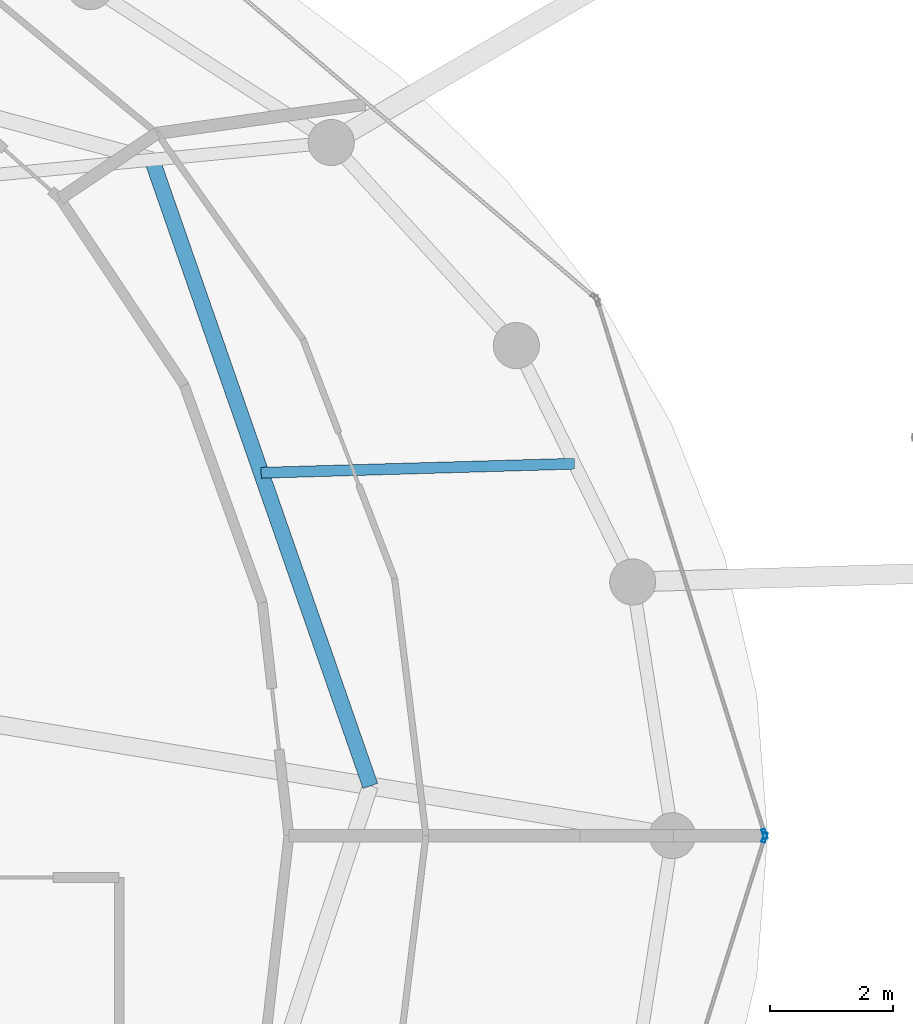
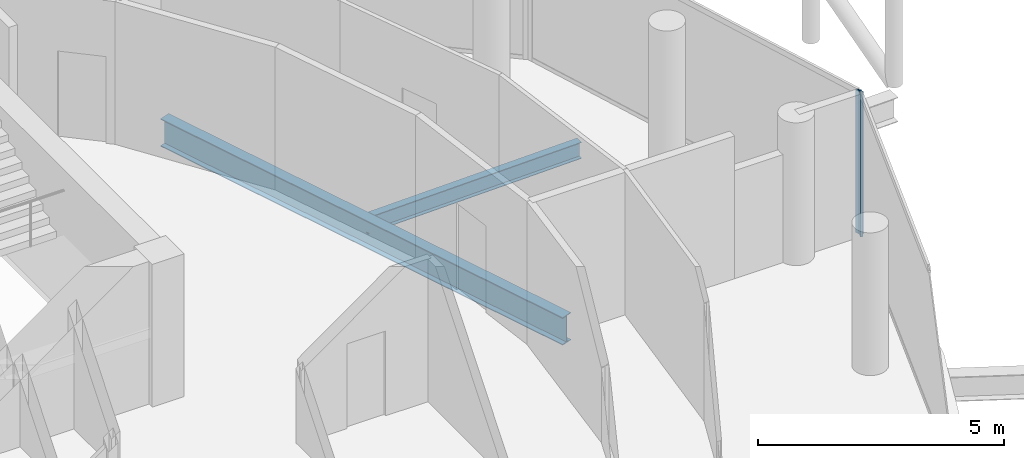
# One storey, part 12 of 24: 2 beams, 2 members, 2 elements without a shape of their own.
"""IFC4 building model written with IfcOpenShell, lengths in metres."""

from ifc_helpers import new_model, si_unit, direction, frame, origin, origin_2d, place, context, subcontext, project, spatial, hollow_rectangle, i_section, extrude, material, layer, layer_set, material_profile, profile_set, type_object, element, aggregate, save


model = new_model("IFC4")

# Units and contexts
model_context = context("Model", 3, precision=1e-05, world=origin(), true_north=direction((0.0, 1.0)))
body_context = subcontext(model_context, "Body", "Model", "MODEL_VIEW")
ifc_project = project(units=[si_unit("LENGTHUNIT", "METRE"), si_unit("AREAUNIT", "SQUARE_METRE"), si_unit("VOLUMEUNIT", "CUBIC_METRE"), si_unit("PLANEANGLEUNIT", "RADIAN"), si_unit("MASSUNIT", "GRAM", prefix="KILO")], contexts=[model_context])

# Site, building, storey
site_placement = place(None, origin())
site = spatial("IfcSite", under=ifc_project, at=site_placement, CompositionType="ELEMENT")
building_placement = place(site_placement, origin())
building = spatial("IfcBuilding", under=site, at=building_placement, Name="Nuhasar Tower", CompositionType="ELEMENT")
storey_placement = place(building_placement, frame((0.0, 0.0, 270.800048828125)))
storey = spatial("IfcBuildingStorey", under=building, at=storey_placement, Name="L67", CompositionType="ELEMENT", Elevation=270.800048828125)

# Beams
ifc_material_1 = material(Name="Steel S355", Category="steel")
ifc_material_profile_1 = material_profile(ifc_material_1, i_section(OverallWidth=0.25390625, OverallDepth=0.68408203125, WebThickness=0.012451171875, FlangeThickness=0.018798828125, at=origin_2d()), Name="W27X94")
ifc_profile_set_1 = profile_set([ifc_material_profile_1], Name="Steel S355")
beam_type_1 = type_object("IfcBeamType", Name="BM-INRING-W27X94", PredefinedType="BEAM", material=ifc_profile_set_1)
beam_1_placement = place(storey_placement, frame((53.035888671875, 27.610107421875, -0.60205078125), z_axis=(-0.329211236979, 0.944256300718, 0.0), x_axis=(-0.944256300718, -0.329211236979, 0.0)))
element("IfcBeam", 1, at=beam_1_placement, inside=storey, type_object=beam_type_1, Name="L67 Inner Header Beam 04", PredefinedType="BEAM", context=body_context, shape_type="SweptSolid", body=[
    extrude(i_section(OverallWidth=0.25390625, OverallDepth=0.68408203125, WebThickness=0.012451171875, FlangeThickness=0.018798828125, at=origin_2d()), origin(), (0.0, 0.0, 1.0), 10.78955078125),
])
ifc_material_profile_2 = material_profile(ifc_material_1, i_section(OverallWidth=0.177978515625, OverallDepth=0.406005859375, WebThickness=0.0078125, FlangeThickness=0.0126953125, at=origin_2d()), Name="W16X40")
ifc_profile_set_2 = profile_set([ifc_material_profile_2], Name="Steel S355")
beam_type_2 = type_object("IfcBeamType", Name="BM-JST-W16X40", PredefinedType="JOIST", material=ifc_profile_set_2)
beam_2_placement = place(storey_placement, frame((51.260009765625, 32.7041015625, -0.463134765625), z_axis=(0.999579139243, 0.02900938453, 0.0), x_axis=(-0.02900938453, 0.999579139243, 0.0)))
element("IfcBeam", 2, at=beam_2_placement, inside=storey, type_object=beam_type_2, Name="L67 Secondary Floor Joist 04", PredefinedType="JOIST", context=body_context, shape_type="SweptSolid", body=[
    extrude(i_section(OverallWidth=0.177978515625, OverallDepth=0.406005859375, WebThickness=0.0078125, FlangeThickness=0.0126953125, at=origin_2d()), origin(), (0.0, 0.0, 1.0), 5.10009765625),
])

# Curtain wall, member
ifc_material_2 = material(Name="Aluminium 6063-T6", Category="aluminium")
ifc_layer = layer(ifc_material_2, 0.18994140625)
ifc_layer_set = layer_set([ifc_layer], Name="Aluminium 6063-T6")
curtain_wall_type = type_object("IfcCurtainWallType", Name="CW-Z4-PEN", PredefinedType="NOTDEFINED", material=ifc_layer_set)
curtain_wall_1_placement = place(storey_placement, origin())
curtain_wall_1 = element("IfcCurtainWall", 3, at=curtain_wall_1_placement, inside=storey, type_object=curtain_wall_type, Name="L67 Unitised Curtain Wall 01", PredefinedType="NOTDEFINED")
ifc_material_profile_3 = material_profile(ifc_material_2, hollow_rectangle(XDim=0.06005859375, YDim=0.1650390625, WallThickness=0.0048828125, at=origin_2d()), Name="CWM-5")
ifc_profile_set_3 = profile_set([ifc_material_profile_3], Name="Aluminium 6063-T6")
member_type = type_object("IfcMemberType", Name="CW-MUL-S5", PredefinedType="MULLION", material=ifc_profile_set_3)
member_1_placement = place(storey_placement, frame((59.450927734375, 26.82861328125, 0.0), z_axis=(0.0, 0.0, 1.0), x_axis=(-0.954078526601, -0.299556614146, 0.0)))
member_1 = element("IfcMember", 4, at=member_1_placement, type_object=member_type, Name="CW-Z4 mullion 1", PredefinedType="MULLION", context=body_context, shape_type="SweptSolid", body=[
    extrude(hollow_rectangle(XDim=0.06005859375, YDim=0.1650390625, WallThickness=0.0048828125, at=origin_2d()), origin(), (0.0, 0.0, 1.0), 3.5400390625),
])
aggregate(curtain_wall_1, [member_1])

curtain_wall_2_placement = place(storey_placement, origin())
curtain_wall_2 = element("IfcCurtainWall", 5, at=curtain_wall_2_placement, inside=storey, type_object=curtain_wall_type, Name="L67 Unitised Curtain Wall 12", PredefinedType="NOTDEFINED")
member_2_placement = place(storey_placement, frame((59.450927734375, 26.771484375, 0.0), z_axis=(0.0, 0.0, 1.0), x_axis=(-0.954078526601, 0.299556614146, 0.0)))
member_2 = element("IfcMember", 6, at=member_2_placement, type_object=member_type, Name="CW-Z4 mullion 2", PredefinedType="MULLION", context=body_context, shape_type="SweptSolid", body=[
    extrude(hollow_rectangle(XDim=0.06005859375, YDim=0.1650390625, WallThickness=0.0048828125, at=origin_2d()), origin(), (0.0, 0.0, 1.0), 3.5400390625),
])
aggregate(curtain_wall_2, [member_2])

save(model, "model.ifc")
